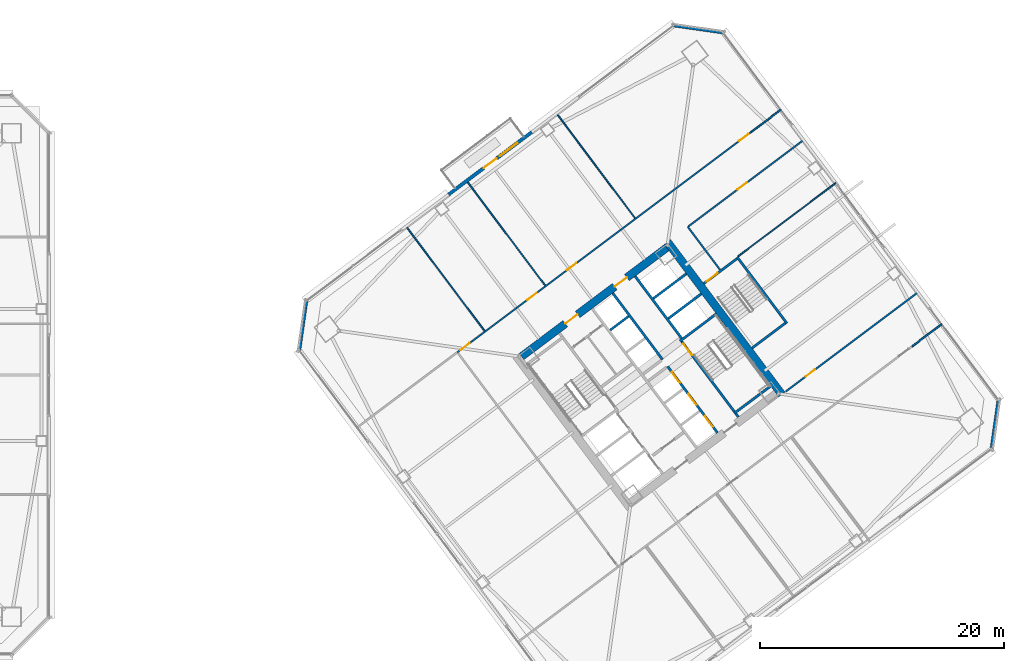
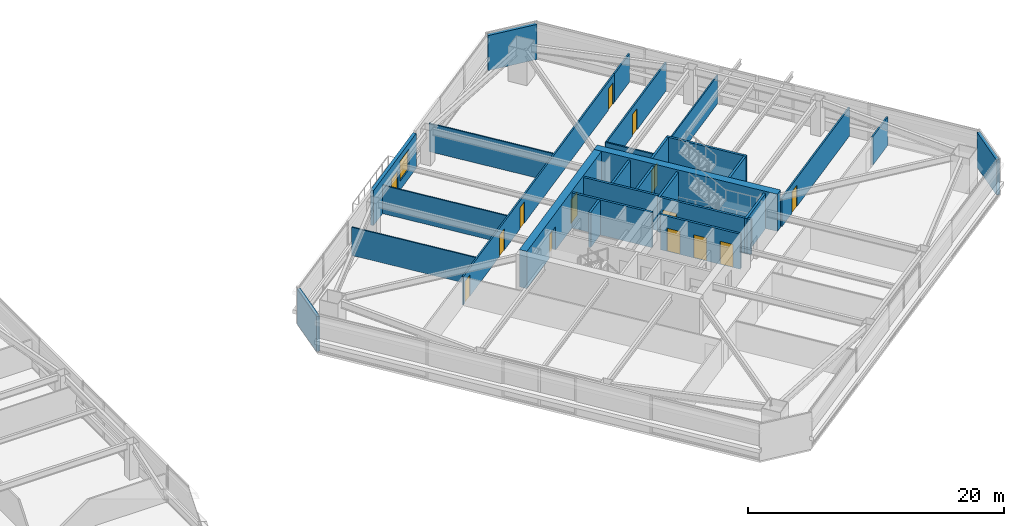
# One storey, part 37 of 46: 28 walls, 14 doors, 1 window, 15 openings.
"""IFC4 building model written with IfcOpenShell, lengths in metres."""

from ifc_helpers import new_model, si_unit, direction, frame, frame_2d, origin, place, context, subcontext, project, spatial, rectangle, extrude, material, layer, layer_set, type_object, element, fill, save


model = new_model("IFC4")

# Units and contexts
model_context = context("Model", 3, precision=1e-05, world=origin(), true_north=direction((0.0, 1.0)))
body_context = subcontext(model_context, "Body", "Model", "MODEL_VIEW")
ifc_project = project(units=[si_unit("LENGTHUNIT", "METRE"), si_unit("AREAUNIT", "SQUARE_METRE"), si_unit("VOLUMEUNIT", "CUBIC_METRE"), si_unit("PLANEANGLEUNIT", "RADIAN"), si_unit("MASSUNIT", "GRAM", prefix="KILO")], contexts=[model_context])

# Site, building, storey
site_placement = place(None, origin())
site = spatial("IfcSite", under=ifc_project, at=site_placement, CompositionType="ELEMENT")
building_placement = place(site_placement, origin())
building = spatial("IfcBuilding", under=site, at=building_placement, Name="Tashvorn Skyway Center", CompositionType="ELEMENT")
storey_placement = place(building_placement, frame((0.0, 0.0, 38.800048828125)))
storey = spatial("IfcBuildingStorey", under=building, at=storey_placement, Name="L09", CompositionType="ELEMENT", Elevation=38.800048828125)

# Wall
ifc_material_1 = material(Name="Concrete C60/75", Category="concrete")
ifc_layer_1 = layer(ifc_material_1, 0.64990234375)
ifc_layer_set_1 = layer_set([ifc_layer_1], Name="Concrete C60/75")
wall_type_1 = type_object("IfcWallType", Name="WALL-CORE-650", PredefinedType="SHEAR", material=ifc_layer_set_1)
wall_1_placement = place(storey_placement, frame((115.52392578125, 42.89306640625, 0.0), z_axis=(0.0, 0.0, 1.0), x_axis=(0.600005007985, -0.799996243986, 0.0)))
element("IfcWall", 1, at=wall_1_placement, inside=storey, type_object=wall_type_1, Name="Tower 2 L09 East Core Shear Wall", PredefinedType="SHEAR", context=body_context, shape_type="SweptSolid", body=[
    extrude(rectangle(XDim=15.60009765625, YDim=0.64990234375, at=frame_2d((7.800048828125, 0.0))), origin(), (0.0, 0.0, 1.0), 3.550048828125),
])

# Wall, openings, doors
wall_2_placement = place(storey_placement, frame((103.571044921875, 33.52197265625, 0.0), z_axis=(0.0, 0.0, 1.0), x_axis=(0.799998028465, 0.600002628705, 0.0)))
wall_2 = element("IfcWall", 2, at=wall_2_placement, inside=storey, type_object=wall_type_1, Name="Tower 2 L09 North Core Shear Wall", PredefinedType="SHEAR", context=body_context, shape_type="SweptSolid", body=[
    extrude(rectangle(XDim=14.85986328125, YDim=0.64990234375, at=frame_2d((7.429931640625, 0.0))), origin(), (0.0, 0.0, 1.0), 3.550048828125),
])
opening_1_placement = place(wall_2_placement, frame((4.47998046875, 0.0, 0.0)))
opening_1 = element("IfcOpeningElement", 3, at=opening_1_placement, cuts=wall_2, Name="Opening D-FFL-1250", PredefinedType="OPENING", context=body_context, shape_type="SweptSolid", body=[
    extrude(rectangle(XDim=1.25, YDim=2.25, at=frame_2d((0.625, 1.125))), frame((0.0, 0.3349609375, 0.0), z_axis=(0.0, -1.0, 0.0), x_axis=(1.0, 0.0, 0.0)), (0.0, 0.0, 1.0), 0.669921875),
])
opening_2_placement = place(wall_2_placement, frame((9.530029296875, 0.0, 0.0)))
opening_2 = element("IfcOpeningElement", 4, at=opening_2_placement, cuts=wall_2, Name="Opening D-FFL-1250", PredefinedType="OPENING", context=body_context, shape_type="SweptSolid", body=[
    extrude(rectangle(XDim=1.25, YDim=2.25, at=frame_2d((0.625, 1.125))), frame((0.0, 0.3349609375, 0.0), z_axis=(0.0, -1.0, 0.0), x_axis=(1.0, 0.0, 0.0)), (0.0, 0.0, 1.0), 0.669921875),
])
ifc_material_2 = material(Name="Hollow galvanized steel fire door assembly", Category="steel")
door_type_1 = type_object("IfcDoorType", Name="DOOR-FFL-1250", OperationType="NOTDEFINED", PredefinedType="DOOR", material=ifc_material_2)
door_1_placement = place(opening_1_placement, origin())
door_1 = element("IfcDoor", 5, at=door_1_placement, inside=storey, type_object=door_type_1, Name="Tower 2 L09 Core North Service Lobby Door", OperationType="SINGLE_SWING_LEFT", OverallHeight=2.25, OverallWidth=1.25, PredefinedType="DOOR", context=body_context, shape_type="SweptSolid", body=[
    extrude(rectangle(XDim=1.25, YDim=2.25, at=frame_2d((0.625, 1.125))), frame((0.0, 0.02490234375, 0.0), z_axis=(0.0, -1.0, 0.0), x_axis=(1.0, 0.0, 0.0)), (0.0, 0.0, 1.0), 0.050048828125),
])
fill(opening_1, door_1)
door_2_placement = place(opening_2_placement, origin())
door_2 = element("IfcDoor", 6, at=door_2_placement, inside=storey, type_object=door_type_1, Name="Tower 2 L09 Core North Lift Lobby Door", OperationType="SINGLE_SWING_RIGHT", OverallHeight=2.25, OverallWidth=1.25, PredefinedType="DOOR", context=body_context, shape_type="SweptSolid", body=[
    extrude(rectangle(XDim=1.25, YDim=2.25, at=frame_2d((0.625, 1.125))), frame((0.0, 0.02490234375, 0.0), z_axis=(0.0, -1.0, 0.0), x_axis=(1.0, 0.0, 0.0)), (0.0, 0.0, 1.0), 0.050048828125),
])
fill(opening_2, door_2)

# Wall, openings, door, window
ifc_material_3 = material(Name="Precast concrete C40/50", Category="concrete")
ifc_layer_2 = layer(ifc_material_3, 0.280029296875)
ifc_layer_set_2 = layer_set([ifc_layer_2], Name="Precast concrete C40/50")
wall_type_2 = type_object("IfcWallType", Name="WALL-EXT-280", PredefinedType="SOLIDWALL", material=ifc_layer_set_2)
wall_3_placement = place(storey_placement, frame((97.592041015625, 46.7939453125, 0.0), z_axis=(0.0, 0.0, 1.0), x_axis=(0.799996553335, 0.600004595526, 0.0)))
wall_3 = element("IfcWall", 7, at=wall_3_placement, inside=storey, type_object=wall_type_2, Name="Tower 2 L09 North Terrace Portal Wall", PredefinedType="SOLIDWALL", context=body_context, shape_type="SweptSolid", body=[
    extrude(rectangle(XDim=8.5, YDim=0.280029296875, at=frame_2d((4.25, 0.0))), origin(), (0.0, 0.0, 1.0), 3.349853515625),
])
opening_3_placement = place(wall_3_placement, frame((3.60009765625, 0.0, 0.0)))
opening_3 = element("IfcOpeningElement", 8, at=opening_3_placement, cuts=wall_3, Name="Opening D-TER-1300", PredefinedType="OPENING", context=body_context, shape_type="SweptSolid", body=[
    extrude(rectangle(XDim=1.300048828125, YDim=2.14990234375, at=frame_2d((0.64990234375, 1.074951171875))), frame((0.0, 0.14990234375, 0.0), z_axis=(0.0, -1.0, 0.0), x_axis=(1.0, 0.0, 0.0)), (0.0, 0.0, 1.0), 0.300048828125),
])
opening_4_placement = place(wall_3_placement, frame((5.239990234375, 0.0, 0.85009765625)))
opening_4 = element("IfcOpeningElement", 9, at=opening_4_placement, cuts=wall_3, Name="Opening WIN-1800", PredefinedType="OPENING", context=body_context, shape_type="SweptSolid", body=[
    extrude(rectangle(XDim=1.800048828125, YDim=1.919921875, at=frame_2d((0.89990234375, 0.9599609375))), frame((0.0, 0.14990234375, 0.0), z_axis=(0.0, -1.0, 0.0), x_axis=(1.0, 0.0, 0.0)), (0.0, 0.0, 1.0), 0.300048828125),
])
ifc_material_4 = material(Name="Thermally broken bronze-anodized aluminium 6063-T6", Category="aluminium")
door_type_2 = type_object("IfcDoorType", Name="DOOR-TERR-1300", OperationType="NOTDEFINED", PredefinedType="DOOR", material=ifc_material_4)
door_3_placement = place(opening_3_placement, origin())
door_3 = element("IfcDoor", 10, at=door_3_placement, inside=storey, type_object=door_type_2, Name="Tower 2 L09 Terrace Access Door", OperationType="SINGLE_SWING_RIGHT", OverallHeight=2.14990234375, OverallWidth=1.300048828125, PredefinedType="DOOR", context=body_context, shape_type="SweptSolid", body=[
    extrude(rectangle(XDim=1.300048828125, YDim=2.14990234375, at=frame_2d((0.64990234375, 1.074951171875))), frame((0.0, 0.02490234375, 0.0), z_axis=(0.0, -1.0, 0.0), x_axis=(1.0, 0.0, 0.0)), (0.0, 0.0, 1.0), 0.050048828125),
])
fill(opening_3, door_3)
ifc_material_5 = material(Name="Low-E solar-control double insulating safety glass", Category="glass")
window_type = type_object("IfcWindowType", Name="WIN-TERR-1800", PartitioningType="SINGLE_PANEL", PredefinedType="WINDOW", material=ifc_material_5)
window_placement = place(opening_4_placement, origin())
window = element("IfcWindow", 11, at=window_placement, inside=storey, type_object=window_type, Name="Tower 2 L09 Terrace Window", OverallHeight=1.919921875, OverallWidth=1.800048828125, PartitioningType="SINGLE_PANEL", PredefinedType="WINDOW", context=body_context, shape_type="SweptSolid", body=[
    extrude(rectangle(XDim=1.800048828125, YDim=1.919921875, at=frame_2d((0.89990234375, 0.9599609375))), frame((0.0, 0.030029296875, 0.0), z_axis=(0.0, -1.0, 0.0), x_axis=(1.0, 0.0, 0.0)), (0.0, 0.0, 1.0), 0.06005859375),
])
fill(opening_4, window)

# Walls
for number, where, z_axis, x_axis, name in (
    (12, (85.360107421875, 34.02001953125, 0.0), (0.0, 0.0, 1.0), (0.14137968631, 0.989955445613, 0.0), "Tower 2 L09 NW Precast Chamfer Wall"),
    (13, (116.02001953125, 60.639892578125, 0.0), (0.0, 0.0, 1.0), (0.989955445613, -0.14137968631, 0.0), "Tower 2 L09 NE Precast Chamfer Wall"),
    (14, (142.639892578125, 29.97998046875, 0.0), (0.0, 0.0, 1.0), (-0.14137968631, -0.989955445613, 0.0), "Tower 2 L09 SE Precast Chamfer Wall"),
):
    element("IfcWall", number, at=place(storey_placement, frame(where, z_axis=z_axis, x_axis=x_axis)), inside=storey, type_object=wall_type_2, Name=name, PredefinedType="SOLIDWALL", context=body_context, shape_type="SweptSolid", body=[
        extrude(rectangle(XDim=4.101318359375, YDim=0.280029296875, at=frame_2d((2.05078125, 0.0))), origin(), (0.0, 0.0, 1.0), 3.349853515625),
    ])
ifc_material_6 = material(Name="Gypsum board on cold-formed steel stud framing", Category="steel")
ifc_layer_3 = layer(ifc_material_6, 0.110107421875)
ifc_layer_set_3 = layer_set([ifc_layer_3], Name="Gypsum board on cold-formed steel stud framing")
wall_type_3 = type_object("IfcWallType", Name="WALL-PART-110", PredefinedType="PARTITIONING", material=ifc_layer_set_3)
wall_4_placement = place(storey_placement, frame((100.531982421875, 35.6240234375, 0.0), z_axis=(0.0, 0.0, 1.0), x_axis=(-0.600007405188, 0.799994446056, 0.0)))
element("IfcWall", 15, at=wall_4_placement, inside=storey, type_object=wall_type_3, Name="Tower 2 L09 North Suite Partition 1", PredefinedType="PARTITIONING", context=body_context, shape_type="SweptSolid", body=[
    extrude(rectangle(XDim=10.550048828125, YDim=0.110107421875, at=frame_2d((5.27490234375, 0.0))), origin(), (0.0, 0.0, 1.0), 2.702880859375),
])
wall_5_placement = place(storey_placement, frame((105.491943359375, 39.343994140625, 0.0), z_axis=(0.0, 0.0, 1.0), x_axis=(-0.599992594658, 0.800005553953, 0.0)))
element("IfcWall", 16, at=wall_5_placement, inside=storey, type_object=wall_type_3, Name="Tower 2 L09 North Suite Partition 2", PredefinedType="PARTITIONING", context=body_context, shape_type="SweptSolid", body=[
    extrude(rectangle(XDim=10.5498046875, YDim=0.110107421875, at=frame_2d((5.27490234375, 0.0))), origin(), (0.0, 0.0, 1.0), 2.702880859375),
])
wall_6_placement = place(storey_placement, frame((112.85205078125, 44.864013671875, 0.0), z_axis=(0.0, 0.0, 1.0), x_axis=(-0.600007405188, 0.799994446056, 0.0)))
element("IfcWall", 17, at=wall_6_placement, inside=storey, type_object=wall_type_3, Name="Tower 2 L09 North Suite Partition 3", PredefinedType="PARTITIONING", context=body_context, shape_type="SweptSolid", body=[
    extrude(rectangle(XDim=10.550048828125, YDim=0.110107421875, at=frame_2d((5.27490234375, 0.0))), origin(), (0.0, 0.0, 1.0), 2.702880859375),
])
wall_7_placement = place(storey_placement, frame((129.303955078125, 47.72802734375, 0.0), z_axis=(0.0, 0.0, 1.0), x_axis=(-0.8, -0.6, 0.0)))
element("IfcWall", 18, at=wall_7_placement, inside=storey, type_object=wall_type_3, Name="Tower 2 L09 East Suite Partition 1", PredefinedType="PARTITIONING", context=body_context, shape_type="SweptSolid", body=[
    extrude(rectangle(XDim=10.0, YDim=0.110107421875, at=frame_2d((5.0, 0.0))), origin(), (0.0, 0.0, 1.0), 2.702880859375),
])
ifc_layer_4 = layer(ifc_material_6, 0.135009765625)
ifc_layer_set_4 = layer_set([ifc_layer_4], Name="Gypsum board on cold-formed steel stud framing")
wall_type_4 = type_object("IfcWallType", Name="WALL-PART-135", PredefinedType="PARTITIONING", material=ifc_layer_set_4)
wall_8_placement = place(storey_placement, frame((119.823974609375, 40.617919921875, 0.0), z_axis=(0.0, 0.0, 1.0), x_axis=(-0.599982243973, 0.800013316712, 0.0)))
element("IfcWall", 19, at=wall_8_placement, inside=storey, type_object=wall_type_4, Name="Tower 2 L09 Stair 3 Access Corridor Wall", PredefinedType="PARTITIONING", context=body_context, shape_type="SweptSolid", body=[
    extrude(rectangle(XDim=4.39990234375, YDim=0.135009765625, at=frame_2d((2.199951171875, 0.0))), origin(), (0.0, 0.0, 1.0), 2.702880859375),
])

# Wall, openings, doors
wall_9_placement = place(storey_placement, frame((98.31591796875, 33.862060546875, 0.0), z_axis=(0.0, 0.0, 1.0), x_axis=(0.800001947934, 0.599997402746, 0.0)))
wall_9 = element("IfcWall", 20, at=wall_9_placement, inside=storey, type_object=wall_type_4, Name="Tower 2 L09 North Suite Wall", PredefinedType="PARTITIONING", context=body_context, shape_type="SweptSolid", body=[
    extrude(rectangle(XDim=30.079833984375, YDim=0.135009765625, at=frame_2d((15.0400390625, 0.0))), origin(), (0.0, 0.0, 1.0), 2.702880859375),
])
opening_5_placement = place(wall_9_placement, frame((0.300048828125, 0.0, 0.0)))
opening_5 = element("IfcOpeningElement", 21, at=opening_5_placement, cuts=wall_9, Name="Opening D-INT-950", PredefinedType="OPENING", context=body_context, shape_type="SweptSolid", body=[
    extrude(rectangle(XDim=0.949951171875, YDim=2.050048828125, at=frame_2d((0.47509765625, 1.02490234375))), frame((0.0, 0.077392578125, 0.0), z_axis=(0.0, -1.0, 0.0), x_axis=(1.0, 0.0, 0.0)), (0.0, 0.0, 1.0), 0.155029296875),
])
opening_6_placement = place(wall_9_placement, frame((7.171875, 0.0, 0.0)))
opening_6 = element("IfcOpeningElement", 22, at=opening_6_placement, cuts=wall_9, Name="Opening D-INT-950", PredefinedType="OPENING", context=body_context, shape_type="SweptSolid", body=[
    extrude(rectangle(XDim=0.949951171875, YDim=2.050048828125, at=frame_2d((0.47509765625, 1.02490234375))), frame((0.0, 0.077392578125, 0.0), z_axis=(0.0, -1.0, 0.0), x_axis=(1.0, 0.0, 0.0)), (0.0, 0.0, 1.0), 0.155029296875),
])
opening_7_placement = place(wall_9_placement, frame((11.218017578125, 0.0, 0.0)))
opening_7 = element("IfcOpeningElement", 23, at=opening_7_placement, cuts=wall_9, Name="Opening D-INT-950", PredefinedType="OPENING", context=body_context, shape_type="SweptSolid", body=[
    extrude(rectangle(XDim=0.949951171875, YDim=2.050048828125, at=frame_2d((0.47509765625, 1.02490234375))), frame((0.0, 0.077392578125, 0.0), z_axis=(0.0, -1.0, 0.0), x_axis=(1.0, 0.0, 0.0)), (0.0, 0.0, 1.0), 0.155029296875),
])
opening_8_placement = place(wall_9_placement, frame((28.830078125, 0.0, 0.0)))
opening_8 = element("IfcOpeningElement", 24, at=opening_8_placement, cuts=wall_9, Name="Opening D-INT-950", PredefinedType="OPENING", context=body_context, shape_type="SweptSolid", body=[
    extrude(rectangle(XDim=0.949951171875, YDim=2.050048828125, at=frame_2d((0.47509765625, 1.02490234375))), frame((0.0, 0.077392578125, 0.0), z_axis=(0.0, -1.0, 0.0), x_axis=(1.0, 0.0, 0.0)), (0.0, 0.0, 1.0), 0.155029296875),
])
ifc_material_7 = material(Name="Solid-core architectural oak veneer door")
door_type_3 = type_object("IfcDoorType", Name="DOOR-INT-950", OperationType="NOTDEFINED", PredefinedType="DOOR", material=ifc_material_7)
door_4_placement = place(opening_5_placement, origin())
door_4 = element("IfcDoor", 25, at=door_4_placement, inside=storey, type_object=door_type_3, Name="Tower 2 L09 Conference Room Door", OperationType="SINGLE_SWING_LEFT", OverallHeight=2.050048828125, OverallWidth=0.949951171875, PredefinedType="DOOR", context=body_context, shape_type="SweptSolid", body=[
    extrude(rectangle(XDim=0.949951171875, YDim=2.050048828125, at=frame_2d((0.47509765625, 1.02490234375))), frame((0.0, 0.02490234375, 0.0), z_axis=(0.0, -1.0, 0.0), x_axis=(1.0, 0.0, 0.0)), (0.0, 0.0, 1.0), 0.050048828125),
])
fill(opening_5, door_4)
door_5_placement = place(opening_6_placement, origin())
door_5 = element("IfcDoor", 26, at=door_5_placement, inside=storey, type_object=door_type_3, Name="Tower 2 L09 Conference Room Door", OperationType="SINGLE_SWING_RIGHT", OverallHeight=2.050048828125, OverallWidth=0.949951171875, PredefinedType="DOOR", context=body_context, shape_type="SweptSolid", body=[
    extrude(rectangle(XDim=0.949951171875, YDim=2.050048828125, at=frame_2d((0.47509765625, 1.02490234375))), frame((0.0, 0.02490234375, 0.0), z_axis=(0.0, -1.0, 0.0), x_axis=(1.0, 0.0, 0.0)), (0.0, 0.0, 1.0), 0.050048828125),
])
fill(opening_6, door_5)
door_6_placement = place(opening_7_placement, origin())
door_6 = element("IfcDoor", 27, at=door_6_placement, inside=storey, type_object=door_type_3, Name="Tower 2 L09 Staff Fitness Club Door", OperationType="SINGLE_SWING_LEFT", OverallHeight=2.050048828125, OverallWidth=0.949951171875, PredefinedType="DOOR", context=body_context, shape_type="SweptSolid", body=[
    extrude(rectangle(XDim=0.949951171875, YDim=2.050048828125, at=frame_2d((0.47509765625, 1.02490234375))), frame((0.0, 0.02490234375, 0.0), z_axis=(0.0, -1.0, 0.0), x_axis=(1.0, 0.0, 0.0)), (0.0, 0.0, 1.0), 0.050048828125),
])
fill(opening_7, door_6)
door_7_placement = place(opening_8_placement, origin())
door_7 = element("IfcDoor", 28, at=door_7_placement, inside=storey, type_object=door_type_3, Name="Tower 2 L09 Gallery Showroom Door", OperationType="SINGLE_SWING_RIGHT", OverallHeight=2.050048828125, OverallWidth=0.949951171875, PredefinedType="DOOR", context=body_context, shape_type="SweptSolid", body=[
    extrude(rectangle(XDim=0.949951171875, YDim=2.050048828125, at=frame_2d((0.47509765625, 1.02490234375))), frame((0.0, 0.02490234375, 0.0), z_axis=(0.0, -1.0, 0.0), x_axis=(1.0, 0.0, 0.0)), (0.0, 0.0, 1.0), 0.050048828125),
])
fill(opening_8, door_7)

# Walls
for number, where, z_axis, x_axis, name in (
    (29, (122.3798828125, 51.909912109375, 0.0), (0.0, 0.0, 1.0), (0.799990331366, 0.600012891296, 0.0), "Tower 2 L09 North-East Suite South Wall"),
    (30, (135.550048828125, 34.35009765625, 0.0), (0.0, 0.0, 1.0), (0.800029006059, 0.599961323307, 0.0), "Tower 2 L09 South-East Suite North Wall"),
):
    element("IfcWall", number, at=place(storey_placement, frame(where, z_axis=z_axis, x_axis=x_axis)), inside=storey, type_object=wall_type_4, Name=name, PredefinedType="PARTITIONING", context=body_context, shape_type="SweptSolid", body=[
        extrude(rectangle(XDim=3.030029296875, YDim=0.135009765625, at=frame_2d((1.51513671875, 0.0))), origin(), (0.0, 0.0, 1.0), 2.702880859375),
    ])

# Wall, opening, door
wall_10_placement = place(storey_placement, frame((126.6640625, 51.248046875, 0.0), z_axis=(0.0, 0.0, 1.0), x_axis=(-0.799995055373, -0.600006592779, 0.0)))
wall_10 = element("IfcWall", 31, at=wall_10_placement, inside=storey, type_object=wall_type_4, Name="Tower 2 L09 East Suite North Wall", PredefinedType="PARTITIONING", context=body_context, shape_type="SweptSolid", body=[
    extrude(rectangle(XDim=11.85009765625, YDim=0.135009765625, at=frame_2d((5.925048828125, 0.0))), origin(), (0.0, 0.0, 1.0), 2.702880859375),
])
opening_9_placement = place(wall_10_placement, frame((5.800048828125, 0.0, 0.0)))
opening_9 = element("IfcOpeningElement", 32, at=opening_9_placement, cuts=wall_10, Name="Opening D-INT-950", PredefinedType="OPENING", context=body_context, shape_type="SweptSolid", body=[
    extrude(rectangle(XDim=0.949951171875, YDim=2.050048828125, at=frame_2d((0.47509765625, 1.02490234375))), frame((0.0, 0.077392578125, 0.0), z_axis=(0.0, -1.0, 0.0), x_axis=(1.0, 0.0, 0.0)), (0.0, 0.0, 1.0), 0.155029296875),
])
door_8_placement = place(opening_9_placement, origin())
door_8 = element("IfcDoor", 33, at=door_8_placement, inside=storey, type_object=door_type_3, Name="Tower 2 L09 Gallery Showroom Door", OperationType="SINGLE_SWING_LEFT", OverallHeight=2.050048828125, OverallWidth=0.949951171875, PredefinedType="DOOR", context=body_context, shape_type="SweptSolid", body=[
    extrude(rectangle(XDim=0.949951171875, YDim=2.050048828125, at=frame_2d((0.47509765625, 1.02490234375))), frame((0.0, 0.02490234375, 0.0), z_axis=(0.0, -1.0, 0.0), x_axis=(1.0, 0.0, 0.0)), (0.0, 0.0, 1.0), 0.050048828125),
])
fill(opening_9, door_8)

wall_11_placement = place(storey_placement, frame((125.2080078125, 30.656005859375, 0.0), z_axis=(0.0, 0.0, 1.0), x_axis=(0.799995666112, 0.600005778473, 0.0)))
wall_11 = element("IfcWall", 34, at=wall_11_placement, inside=storey, type_object=wall_type_4, Name="Tower 2 L09 East Suite South Wall", PredefinedType="PARTITIONING", context=body_context, shape_type="SweptSolid", body=[
    extrude(rectangle(XDim=13.52001953125, YDim=0.135009765625, at=frame_2d((6.760009765625, 0.0))), origin(), (0.0, 0.0, 1.0), 2.702880859375),
])
opening_10_placement = place(wall_11_placement, frame((2.044921875, 0.0, 0.0)))
opening_10 = element("IfcOpeningElement", 35, at=opening_10_placement, cuts=wall_11, Name="Opening D-INT-950", PredefinedType="OPENING", context=body_context, shape_type="SweptSolid", body=[
    extrude(rectangle(XDim=0.949951171875, YDim=2.050048828125, at=frame_2d((0.47509765625, 1.02490234375))), frame((0.0, 0.077392578125, 0.0), z_axis=(0.0, -1.0, 0.0), x_axis=(1.0, 0.0, 0.0)), (0.0, 0.0, 1.0), 0.155029296875),
])
door_9_placement = place(opening_10_placement, origin())
door_9 = element("IfcDoor", 36, at=door_9_placement, inside=storey, type_object=door_type_3, Name="Tower 2 L09 Public Restroom Door", OperationType="SINGLE_SWING_RIGHT", OverallHeight=2.050048828125, OverallWidth=0.949951171875, PredefinedType="DOOR", context=body_context, shape_type="SweptSolid", body=[
    extrude(rectangle(XDim=0.949951171875, YDim=2.050048828125, at=frame_2d((0.47509765625, 1.02490234375))), frame((0.0, 0.02490234375, 0.0), z_axis=(0.0, -1.0, 0.0), x_axis=(1.0, 0.0, 0.0)), (0.0, 0.0, 1.0), 0.050048828125),
])
fill(opening_10, door_9)

# Walls
ifc_material_8 = material(Name="Concrete C40/50", Category="concrete")
ifc_layer_5 = layer(ifc_material_8, 0.199951171875)
ifc_layer_set_5 = layer_set([ifc_layer_5], Name="Concrete C40/50")
wall_type_5 = type_object("IfcWallType", Name="WALL-SHAFT-200", PredefinedType="SOLIDWALL", material=ifc_layer_set_5)
for number, where, z_axis, x_axis, name in (
    (37, (115.590087890625, 36.6298828125, 0.0), (0.0, 0.0, 1.0), (0.799973995579, 0.600034670996, 0.0), "Tower 2 L09 High-Rise Shaft Divider"),
    (38, (114.360107421875, 38.27001953125, 0.0), (0.0, 0.0, 1.0), (0.799973995579, 0.600034670996, 0.0), "Tower 2 L09 High-Rise Shaft Divider"),
):
    element("IfcWall", number, at=place(storey_placement, frame(where, z_axis=z_axis, x_axis=x_axis)), inside=storey, type_object=wall_type_5, Name=name, PredefinedType="SOLIDWALL", context=body_context, shape_type="SweptSolid", body=[
        extrude(rectangle(XDim=3.3798828125, YDim=0.199951171875, at=frame_2d((1.68994140625, 0.0))), origin(), (0.0, 0.0, 1.0), 3.349853515625),
    ])

# Wall, openings, doors
wall_12_placement = place(storey_placement, frame((119.610107421875, 27.27001953125, 0.0), z_axis=(0.0, 0.0, 1.0), x_axis=(-0.600011488909, 0.79999138319, 0.0)))
wall_12 = element("IfcWall", 39, at=wall_12_placement, inside=storey, type_object=wall_type_5, Name="Tower 2 L09 Low-Rise Core Wall", PredefinedType="SOLIDWALL", context=body_context, shape_type="SweptSolid", body=[
    extrude(rectangle(XDim=6.800048828125, YDim=0.199951171875, at=frame_2d((3.39990234375, 0.0))), origin(), (0.0, 0.0, 1.0), 3.349853515625),
])
opening_11_placement = place(wall_12_placement, frame((0.625, 0.0, 0.0)))
opening_11 = element("IfcOpeningElement", 40, at=opening_11_placement, cuts=wall_12, Name="Opening LD-LR-T2-1-L09", PredefinedType="OPENING", context=body_context, shape_type="SweptSolid", body=[
    extrude(rectangle(XDim=1.10009765625, YDim=2.199951171875, at=frame_2d((0.550048828125, 1.10009765625))), frame((0.0, 0.10986328125, 0.0), z_axis=(0.0, -1.0, 0.0), x_axis=(1.0, 0.0, 0.0)), (0.0, 0.0, 1.0), 0.219970703125),
])
opening_12_placement = place(wall_12_placement, frame((2.875, 0.0, 0.0)))
opening_12 = element("IfcOpeningElement", 41, at=opening_12_placement, cuts=wall_12, Name="Opening LD-LR-T2-2-L09", PredefinedType="OPENING", context=body_context, shape_type="SweptSolid", body=[
    extrude(rectangle(XDim=1.10009765625, YDim=2.199951171875, at=frame_2d((0.550048828125, 1.10009765625))), frame((0.0, 0.10986328125, 0.0), z_axis=(0.0, -1.0, 0.0), x_axis=(1.0, 0.0, 0.0)), (0.0, 0.0, 1.0), 0.219970703125),
])
opening_13_placement = place(wall_12_placement, frame((5.125, 0.0, 0.0)))
opening_13 = element("IfcOpeningElement", 42, at=opening_13_placement, cuts=wall_12, Name="Opening LD-LR-T2-3-L09", PredefinedType="OPENING", context=body_context, shape_type="SweptSolid", body=[
    extrude(rectangle(XDim=1.10009765625, YDim=2.199951171875, at=frame_2d((0.550048828125, 1.10009765625))), frame((0.0, 0.10986328125, 0.0), z_axis=(0.0, -1.0, 0.0), x_axis=(1.0, 0.0, 0.0)), (0.0, 0.0, 1.0), 0.219970703125),
])
ifc_material_9 = material(Name="Stainless steel landing door", Category="steel")
door_type_4 = type_object("IfcDoorType", Name="DOOR-LIFT-1100", OperationType="SLIDING_TO_LEFT", PredefinedType="DOOR", material=ifc_material_9)
door_10_placement = place(opening_11_placement, origin())
door_10 = element("IfcDoor", 43, at=door_10_placement, inside=storey, type_object=door_type_4, Name="Lift LR-T2-1 L09 Landing Door", OperationType="SLIDING_TO_LEFT", OverallHeight=2.199951171875, OverallWidth=1.10009765625, PredefinedType="DOOR", context=body_context, shape_type="SweptSolid", body=[
    extrude(rectangle(XDim=1.10009765625, YDim=2.199951171875, at=frame_2d((0.550048828125, 1.10009765625))), frame((0.0, 0.02490234375, 0.0), z_axis=(0.0, -1.0, 0.0), x_axis=(1.0, 0.0, 0.0)), (0.0, 0.0, 1.0), 0.050048828125),
])
fill(opening_11, door_10)
door_11_placement = place(opening_12_placement, origin())
door_11 = element("IfcDoor", 44, at=door_11_placement, inside=storey, type_object=door_type_4, Name="Lift LR-T2-2 L09 Landing Door", OperationType="SLIDING_TO_LEFT", OverallHeight=2.199951171875, OverallWidth=1.10009765625, PredefinedType="DOOR", context=body_context, shape_type="SweptSolid", body=[
    extrude(rectangle(XDim=1.10009765625, YDim=2.199951171875, at=frame_2d((0.550048828125, 1.10009765625))), frame((0.0, 0.02490234375, 0.0), z_axis=(0.0, -1.0, 0.0), x_axis=(1.0, 0.0, 0.0)), (0.0, 0.0, 1.0), 0.050048828125),
])
fill(opening_12, door_11)
door_12_placement = place(opening_13_placement, origin())
door_12 = element("IfcDoor", 45, at=door_12_placement, inside=storey, type_object=door_type_4, Name="Lift LR-T2-3 L09 Landing Door", OperationType="SLIDING_TO_LEFT", OverallHeight=2.199951171875, OverallWidth=1.10009765625, PredefinedType="DOOR", context=body_context, shape_type="SweptSolid", body=[
    extrude(rectangle(XDim=1.10009765625, YDim=2.199951171875, at=frame_2d((0.550048828125, 1.10009765625))), frame((0.0, 0.02490234375, 0.0), z_axis=(0.0, -1.0, 0.0), x_axis=(1.0, 0.0, 0.0)), (0.0, 0.0, 1.0), 0.050048828125),
])
fill(opening_13, door_12)

# Walls
wall_13_placement = place(storey_placement, frame((115.110107421875, 33.27001953125, 0.0), z_axis=(0.0, 0.0, 1.0), x_axis=(-0.600011488909, 0.79999138319, 0.0)))
element("IfcWall", 46, at=wall_13_placement, inside=storey, type_object=wall_type_5, Name="Tower 2 L09 Mid-Rise Core Wall", PredefinedType="SOLIDWALL", context=body_context, shape_type="SweptSolid", body=[
    extrude(rectangle(XDim=6.800048828125, YDim=0.199951171875, at=frame_2d((3.39990234375, 0.0))), origin(), (0.0, 0.0, 1.0), 3.349853515625),
])
wall_14_placement = place(storey_placement, frame((110.825927734375, 35.681884765625, 0.0), z_axis=(0.0, 0.0, 1.0), x_axis=(0.799984418148, 0.600020775241, 0.0)))
element("IfcWall", 47, at=wall_14_placement, inside=storey, type_object=wall_type_5, Name="Tower 2 L09 Mid-Rise Shaft Divider", PredefinedType="SOLIDWALL", context=body_context, shape_type="SweptSolid", body=[
    extrude(rectangle(XDim=1.880126953125, YDim=0.199951171875, at=frame_2d((0.93994140625, 0.0))), origin(), (0.0, 0.0, 1.0), 3.349853515625),
])

# Wall, opening, door
ifc_layer_6 = layer(ifc_material_8, 0.199951171875)
ifc_layer_set_6 = layer_set([ifc_layer_6], Name="Concrete C40/50")
wall_type_6 = type_object("IfcWallType", Name="WALL-STSHF-200", PredefinedType="SHEAR", material=ifc_layer_set_6)
wall_15_placement = place(storey_placement, frame((116.56005859375, 34.919921875, 0.0), z_axis=(0.0, 0.0, 1.0), x_axis=(0.600009827119, -0.799992629566, 0.0)))
wall_15 = element("IfcWall", 48, at=wall_15_placement, inside=storey, type_object=wall_type_6, Name="Tower 2 L09 Stair 2 Enclosure Wall", PredefinedType="SHEAR", context=body_context, shape_type="SweptSolid", body=[
    extrude(rectangle(XDim=7.949951171875, YDim=0.199951171875, at=frame_2d((3.97509765625, 0.0))), origin(), (0.0, 0.0, 1.0), 3.349853515625),
])
opening_14_placement = place(wall_15_placement, frame((0.449951171875, 0.0, 0.0)))
opening_14 = element("IfcOpeningElement", 49, at=opening_14_placement, cuts=wall_15, Name="Opening D-ST-1150", PredefinedType="OPENING", context=body_context, shape_type="SweptSolid", body=[
    extrude(rectangle(XDim=1.14990234375, YDim=2.199951171875, at=frame_2d((0.574951171875, 1.10009765625))), frame((0.0, 0.10986328125, 0.0), z_axis=(0.0, -1.0, 0.0), x_axis=(1.0, 0.0, 0.0)), (0.0, 0.0, 1.0), 0.219970703125),
])
door_type_5 = type_object("IfcDoorType", Name="DOOR-STAIR-1150", OperationType="NOTDEFINED", PredefinedType="DOOR", material=ifc_material_2)
door_13_placement = place(opening_14_placement, origin())
door_13 = element("IfcDoor", 50, at=door_13_placement, inside=storey, type_object=door_type_5, Name="Tower 2 L09 Exit Stair 2 Door", OperationType="SINGLE_SWING_RIGHT", OverallHeight=2.199951171875, OverallWidth=1.14990234375, PredefinedType="DOOR", context=body_context, shape_type="SweptSolid", body=[
    extrude(rectangle(XDim=1.14990234375, YDim=2.199951171875, at=frame_2d((0.574951171875, 1.10009765625))), frame((0.0, 0.02490234375, 0.0), z_axis=(0.0, -1.0, 0.0), x_axis=(1.0, 0.0, 0.0)), (0.0, 0.0, 1.0), 0.050048828125),
])
fill(opening_14, door_13)

# Walls
for number, where, z_axis, x_axis, name in (
    (51, (116.5400390625, 34.780029296875, 0.0), (0.0, 0.0, 1.0), (0.799984290658, 0.600020945218, 0.0), "Tower 2 L09 Stair 2 North Wall"),
    (52, (120.97998046875, 28.860107421875, 0.0), (0.0, 0.0, 1.0), (0.800039270442, 0.59994763584, 0.0), "Tower 2 L09 Stair 2 South Wall"),
):
    element("IfcWall", number, at=place(storey_placement, frame(where, z_axis=z_axis, x_axis=x_axis)), inside=storey, type_object=wall_type_6, Name=name, PredefinedType="SHEAR", context=body_context, shape_type="SweptSolid", body=[
        extrude(rectangle(XDim=3.72998046875, YDim=0.199951171875, at=frame_2d((1.864990234375, 0.0))), origin(), (0.0, 0.0, 1.0), 3.349853515625),
    ])
wall_16_placement = place(storey_placement, frame((112.8701171875, 40.090087890625, 0.0), z_axis=(0.0, 0.0, 1.0), x_axis=(0.599975393228, -0.800018454488, 0.0)))
element("IfcWall", 53, at=wall_16_placement, inside=storey, type_object=wall_type_6, Name="Tower 2 L09 High-Rise Lift Shaft Front Wall", PredefinedType="SHEAR", context=body_context, shape_type="SweptSolid", body=[
    extrude(rectangle(XDim=6.349853515625, YDim=0.199951171875, at=frame_2d((3.1748046875, 0.0))), origin(), (0.0, 0.0, 1.0), 3.349853515625),
])
wall_17_placement = place(storey_placement, frame((125.303955078125, 36.22802734375, 0.0), z_axis=(0.0, 0.0, 1.0), x_axis=(-0.59998851072, 0.800008616831, 0.0)))
element("IfcWall", 54, at=wall_17_placement, inside=storey, type_object=wall_type_6, Name="Tower 2 L09 Stair 3 Outer Wall", PredefinedType="SHEAR", context=body_context, shape_type="SweptSolid", body=[
    extrude(rectangle(XDim=6.7998046875, YDim=0.199951171875, at=frame_2d((3.39990234375, 0.0))), origin(), (0.0, 0.0, 1.0), 3.349853515625),
])

# Wall, opening, door
wall_18_placement = place(storey_placement, frame((121.2041015625, 41.528076171875, 0.0), z_axis=(0.0, 0.0, 1.0), x_axis=(-0.800017232136, -0.599977023131, 0.0)))
wall_18 = element("IfcWall", 55, at=wall_18_placement, inside=storey, type_object=wall_type_6, Name="Tower 2 L09 Stair 3 Enclosure Wall", PredefinedType="SHEAR", context=body_context, shape_type="SweptSolid", body=[
    extrude(rectangle(XDim=3.400146484375, YDim=0.199951171875, at=frame_2d((1.7001953125, 0.0))), origin(), (0.0, 0.0, 1.0), 3.349853515625),
])
opening_15_placement = place(wall_18_placement, frame((1.97509765625, 0.0, 0.0)))
opening_15 = element("IfcOpeningElement", 56, at=opening_15_placement, cuts=wall_18, Name="Opening D-ST-1150", PredefinedType="OPENING", context=body_context, shape_type="SweptSolid", body=[
    extrude(rectangle(XDim=1.14990234375, YDim=2.199951171875, at=frame_2d((0.574951171875, 1.10009765625))), frame((0.0, 0.10986328125, 0.0), z_axis=(0.0, -1.0, 0.0), x_axis=(1.0, 0.0, 0.0)), (0.0, 0.0, 1.0), 0.219970703125),
])
door_14_placement = place(opening_15_placement, origin())
door_14 = element("IfcDoor", 57, at=door_14_placement, inside=storey, type_object=door_type_5, Name="Tower 2 L09 Exit Stair 3 Door", OperationType="SINGLE_SWING_RIGHT", OverallHeight=2.199951171875, OverallWidth=1.14990234375, PredefinedType="DOOR", context=body_context, shape_type="SweptSolid", body=[
    extrude(rectangle(XDim=1.14990234375, YDim=2.199951171875, at=frame_2d((0.574951171875, 1.10009765625))), frame((0.0, 0.02490234375, 0.0), z_axis=(0.0, -1.0, 0.0), x_axis=(1.0, 0.0, 0.0)), (0.0, 0.0, 1.0), 0.050048828125),
])
fill(opening_15, door_14)

# Wall
wall_19_placement = place(storey_placement, frame((122.444091796875, 34.2080078125, 0.0), z_axis=(0.0, 0.0, 1.0), x_axis=(0.79999138319, 0.600011488909, 0.0)))
element("IfcWall", 58, at=wall_19_placement, inside=storey, type_object=wall_type_6, Name="Tower 2 L09 Stair 3 South Wall", PredefinedType="SHEAR", context=body_context, shape_type="SweptSolid", body=[
    extrude(rectangle(XDim=3.39990234375, YDim=0.199951171875, at=frame_2d((1.699951171875, 0.0))), origin(), (0.0, 0.0, 1.0), 3.349853515625),
])

save(model, "model.ifc")
